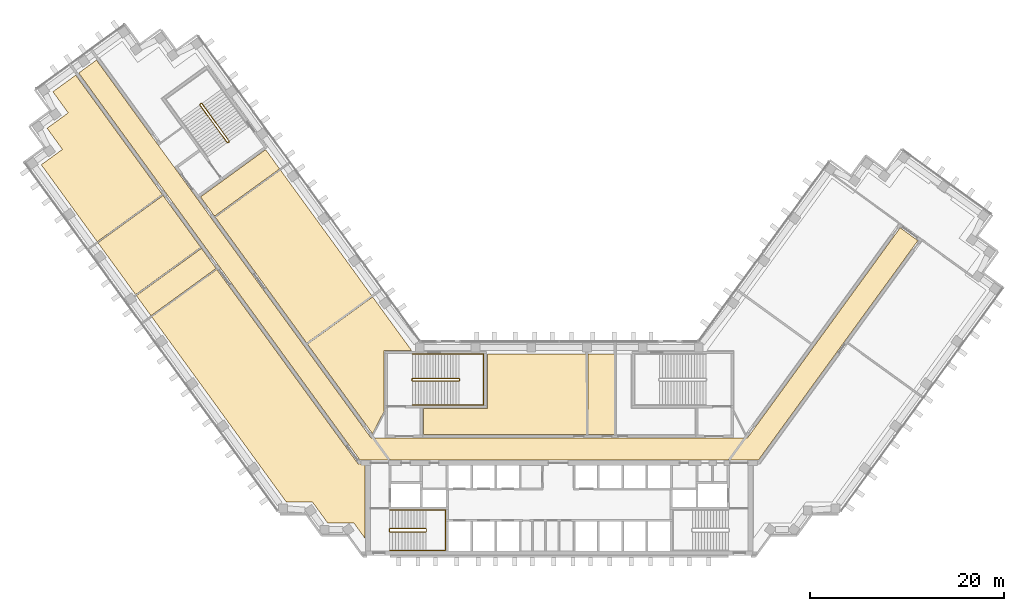
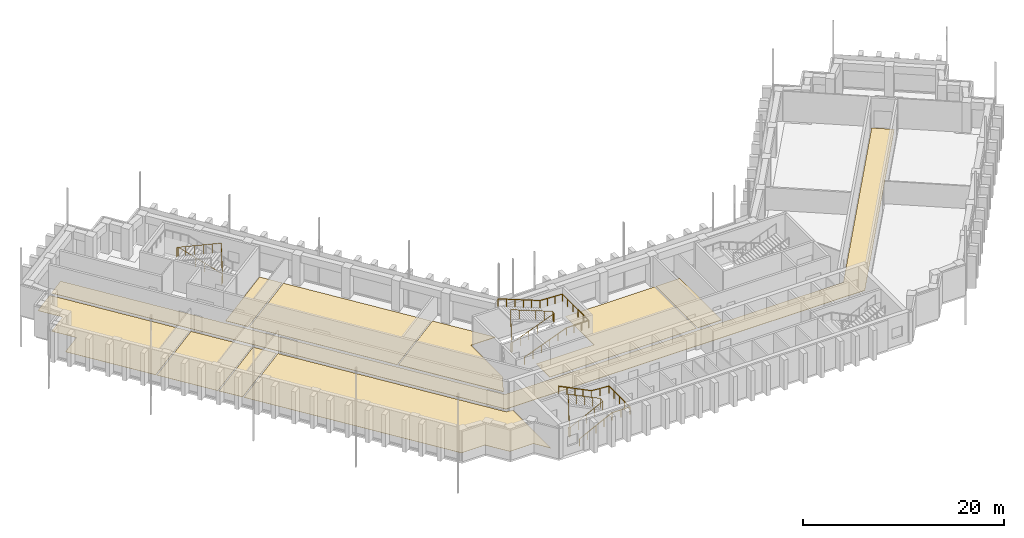
# One storey, part 15 of 16: 10 coverings, 5 railings.
"""IFC4 building model written with IfcOpenShell, lengths in metres."""

from ifc_helpers import new_model, si_unit, direction, frame, origin, origin_2d, place, context, subcontext, project, spatial, polyline, circle, outline, extrude, material, layer, layer_set, type_object, element, save


model = new_model("IFC4")

# Units and contexts
model_context = context("Model", 3, precision=1e-05, world=origin(), true_north=direction((0.0, 1.0)))
body_context = subcontext(model_context, "Body", "Model", "MODEL_VIEW")
ifc_project = project(units=[si_unit("LENGTHUNIT", "METRE"), si_unit("AREAUNIT", "SQUARE_METRE"), si_unit("VOLUMEUNIT", "CUBIC_METRE"), si_unit("PLANEANGLEUNIT", "RADIAN"), si_unit("MASSUNIT", "GRAM", prefix="KILO")], contexts=[model_context])

# Site, building, storey
site_placement = place(None, origin())
site = spatial("IfcSite", under=ifc_project, at=site_placement, CompositionType="ELEMENT")
building_placement = place(site_placement, origin())
building = spatial("IfcBuilding", under=site, at=building_placement, Name="Quipu Civic Tower", CompositionType="ELEMENT")
storey_placement = place(building_placement, frame((0.0, 0.0, 125.0)))
storey = spatial("IfcBuildingStorey", under=building, at=storey_placement, Name="L29", CompositionType="ELEMENT", Elevation=125.0)

# Coverings
ifc_material_1 = material(Name="Carpet tile on raised access floor")
ifc_layer_1 = layer(ifc_material_1, 0.02001953125)
ifc_layer_set_1 = layer_set([ifc_layer_1], Name="Carpet tile on raised access floor")
covering_type_1 = type_object("IfcCoveringType", Name="Carpet tile floor finish 20", PredefinedType="FLOORING", material=ifc_layer_set_1)
covering_1_placement = place(storey_placement, origin())
element("IfcCovering", 1, at=covering_1_placement, inside=storey, type_object=covering_type_1, Name="Carpet tile floor finish 20", PredefinedType="FLOORING", context=body_context, shape_type="SweptSolid", body=[
    extrude(outline(polyline([(-53.47998046875, 29.35791015625), (-51.297119140625, 30.945068359375), (-52.883056640625, 33.12890625), (-50.698974609375, 34.717041015625), (-52.284912109375, 36.90087890625), (-49.930908203125, 38.611083984375), (-40.988037109375, 26.301025390625), (-47.7119140625, 21.41796875), (-53.47998046875, 29.35791015625)])), origin(), (0.0, 0.0, 1.0), 0.02001953125),
])
covering_2_placement = place(storey_placement, origin())
element("IfcCovering", 2, at=covering_2_placement, inside=storey, type_object=covering_type_1, Name="Carpet tile floor finish 20", PredefinedType="FLOORING", context=body_context, shape_type="SweptSolid", body=[
    extrude(outline(polyline([(-14.030029296875, 1.52001953125), (-14.030029296875, 4.179931640625), (-7.429931640625, 4.180908203125), (-7.429931640625, 9.830078125), (2.80908203125, 9.830078125), (2.80908203125, 1.52001953125), (-14.030029296875, 1.52001953125)])), origin(), (0.0, 0.0, 1.0), 0.02001953125),
])
covering_3_placement = place(storey_placement, origin())
element("IfcCovering", 3, at=covering_3_placement, inside=storey, type_object=covering_type_1, Name="Carpet tile floor finish 20", PredefinedType="FLOORING", context=body_context, shape_type="SweptSolid", body=[
    extrude(outline(polyline([(-47.62890625, 21.304931640625), (-40.905029296875, 26.18798828125), (-37.02099609375, 20.841064453125), (-43.743896484375, 15.95703125), (-47.62890625, 21.304931640625)])), origin(), (0.0, 0.0, 1.0), 0.02001953125),
])
covering_4_placement = place(storey_placement, origin())
element("IfcCovering", 4, at=covering_4_placement, inside=storey, type_object=covering_type_1, Name="Carpet tile floor finish 20", PredefinedType="FLOORING", context=body_context, shape_type="SweptSolid", body=[
    extrude(outline(polyline([(-35.512939453125, 23.93896484375), (-28.7900390625, 28.822021484375), (-19.35107421875, 15.8291015625), (-26.073974609375, 10.946044921875), (-35.512939453125, 23.93896484375)])), origin(), (0.0, 0.0, 1.0), 0.02001953125),
])
covering_5_placement = place(storey_placement, origin())
element("IfcCovering", 5, at=covering_5_placement, inside=storey, type_object=covering_type_1, Name="Carpet tile floor finish 20", PredefinedType="FLOORING", context=body_context, shape_type="SweptSolid", body=[
    extrude(outline(polyline([(-42.073974609375, 13.658935546875), (-35.35107421875, 18.54296875), (-20.77490234375, -1.51904296875), (-20.070068359375, -1.52001953125), (-20.070068359375, -9.195068359375), (-21.196044921875, -7.64599609375), (-21.6630859375, -7.64599609375), (-21.666015625, -7.64404296875), (-21.669921875, -7.64111328125), (-21.675048828125, -7.639892578125), (-21.679931640625, -7.637939453125), (-21.68408203125, -7.636962890625), (-21.68896484375, -7.636962890625), (-21.694091796875, -7.635986328125), (-21.698974609375, -7.636962890625), (-21.7041015625, -7.637939453125), (-21.708984375, -7.638916015625), (-21.712890625, -7.64111328125), (-21.718017578125, -7.64306640625), (-21.721923828125, -7.64599609375), (-21.721923828125, -7.64599609375), (-23.89501953125, -7.64599609375), (-25.48193359375, -5.4619140625), (-28.181884765625, -5.4609375), (-42.073974609375, 13.658935546875)])), origin(), (0.0, 0.0, 1.0), 0.02001953125),
])
ifc_material_2 = material(Name="Ceramic floor tile")
ifc_layer_2 = layer(ifc_material_2, 0.030029296875)
ifc_layer_set_2 = layer_set([ifc_layer_2], Name="Ceramic floor tile")
covering_type_2 = type_object("IfcCoveringType", Name="Ceramic tile floor finish 30", PredefinedType="FLOORING", material=ifc_layer_set_2)
covering_6_placement = place(storey_placement, origin())
element("IfcCovering", 6, at=covering_6_placement, inside=storey, type_object=covering_type_2, Name="Ceramic tile floor finish 30", PredefinedType="FLOORING", context=body_context, shape_type="SweptSolid", body=[
    extrude(outline(polyline([(-37.0380859375, 26.0380859375), (-30.31494140625, 30.922119140625), (-28.873046875, 28.93505859375), (-35.595947265625, 24.052001953125), (-37.0380859375, 26.0380859375)])), origin(), (0.0, 0.0, 1.0), 0.030029296875),
])
covering_7_placement = place(storey_placement, origin())
element("IfcCovering", 7, at=covering_7_placement, inside=storey, type_object=covering_type_2, Name="Ceramic tile floor finish 30", PredefinedType="FLOORING", context=body_context, shape_type="SweptSolid", body=[
    extrude(outline(polyline([(-43.660888671875, 15.843994140625), (-36.93798828125, 20.72802734375), (-35.43408203125, 18.656005859375), (-42.156982421875, 13.77197265625), (-43.660888671875, 15.843994140625)])), origin(), (0.0, 0.0, 1.0), 0.030029296875),
])
ifc_material_3 = material(Name="Sealed cement screed")
ifc_layer_3 = layer(ifc_material_3, 0.050048828125)
ifc_layer_set_3 = layer_set([ifc_layer_3], Name="Sealed cement screed")
covering_type_3 = type_object("IfcCoveringType", Name="Sealed screed floor finish 50", PredefinedType="FLOORING", material=ifc_layer_set_3)
covering_8_placement = place(storey_placement, origin())
element("IfcCovering", 8, at=covering_8_placement, inside=storey, type_object=covering_type_3, Name="Sealed screed floor finish 50", PredefinedType="FLOORING", context=body_context, shape_type="SweptSolid", body=[
    extrude(outline(polyline([(2.948974609375, 1.52001953125), (2.948974609375, 9.830078125), (5.68798828125, 9.830078125), (5.68798828125, 1.52001953125), (2.948974609375, 1.52001953125)])), origin(), (0.0, 0.0, 1.0), 0.050048828125),
])
covering_9_placement = place(storey_placement, origin())
element("IfcCovering", 9, at=covering_9_placement, inside=storey, type_object=covering_type_3, Name="Sealed screed floor finish 50", PredefinedType="FLOORING", context=body_context, shape_type="SweptSolid", body=[
    extrude(outline(polyline([(-25.990966796875, 10.8330078125), (-19.26806640625, 15.716064453125), (-15.238037109375, 10.169921875), (-18.070068359375, 10.1689453125), (-18.070068359375, 3.94189453125), (-19.27197265625, 1.583984375), (-25.990966796875, 10.8330078125)])), origin(), (0.0, 0.0, 1.0), 0.050048828125),
])

# Railings
ifc_material_4 = material(Name="Stainless steel", Category="steel")
railing_type_1 = type_object("IfcRailingType", Name="Stair guard 1100", PredefinedType="GUARDRAIL", material=ifc_material_4)
railing_1_placement = place(storey_placement, frame((-17.5, -8.550048828125, 0.15380859375)))
element("IfcRailing", 10, at=railing_1_placement, inside=storey, type_object=railing_type_1, Name="Stair 1 guard", PredefinedType="GUARDRAIL", context=body_context, shape_type="SweptSolid", body=[
    extrude(circle(Radius=0.02392578125, at=origin_2d()), frame((0.0, 0.0, 1.076171875), z_axis=(0.895751851347, 0.0, 0.444554407028), x_axis=(0.0, 1.0, 0.0)), (0.0, 0.0, 1.0), 4.15283203125),
    extrude(circle(Radius=0.02392578125, at=origin_2d()), frame((3.719970703125, 0.0, 2.92236328125), z_axis=(0.707106781187, 0.707106781187, 0.0), x_axis=(-0.707106781187, 0.707106781187, 0.0)), (0.0, 0.0, 1.0), 0.07080078125),
    extrude(circle(Radius=0.02392578125, at=origin_2d()), frame((3.77001953125, 0.050048828125, 2.92236328125), z_axis=(0.0, 1.0, 0.0), x_axis=(-1.0, 0.0, 0.0)), (0.0, 0.0, 1.0), 0.25),
    extrude(circle(Radius=0.02392578125, at=origin_2d()), frame((3.77001953125, 0.300048828125, 2.92236328125), z_axis=(-0.295599637079, 0.295599637079, 0.908428152975), x_axis=(-0.707106781187, -0.707106781187, 0.0)), (0.0, 0.0, 1.0), 0.16943359375),
    extrude(circle(Radius=0.02392578125, at=origin_2d()), frame((3.719970703125, 0.35009765625, 3.076171875), z_axis=(-0.895751851347, 0.0, 0.444554407028), x_axis=(0.0, -1.0, 0.0)), (0.0, 0.0, 1.0), 4.15283203125),
    extrude(circle(Radius=0.02392578125, at=origin_2d()), frame((0.0, 0.35009765625, 4.92236328125), z_axis=(-0.012476181752, -0.074796231092, -0.997120789425), x_axis=(0.986372223864, -0.164529134168, 0.0)), (0.0, 0.0, 1.0), 4.011474609375),
    extrude(circle(Radius=0.02392578125, at=origin_2d()), frame((-0.050048828125, 0.050048828125, 0.92236328125), z_axis=(0.0, 1.0, 0.0), x_axis=(-1.0, 0.0, 0.0)), (0.0, 0.0, 1.0), 0.25),
    extrude(circle(Radius=0.02099609375, at=origin_2d()), origin(), (0.0, 0.0, 1.0), 1.052001953125),
    extrude(circle(Radius=0.02099609375, at=origin_2d()), frame((0.929931640625, 0.0, 0.46142578125)), (0.0, 0.0, 1.0), 1.052001953125),
    extrude(circle(Radius=0.02099609375, at=origin_2d()), frame((1.85986328125, 0.0, 0.923095703125)), (0.0, 0.0, 1.0), 1.052001953125),
    extrude(circle(Radius=0.02099609375, at=origin_2d()), frame((2.7900390625, 0.0, 1.384765625)), (0.0, 0.0, 1.0), 1.052001953125),
    extrude(circle(Radius=0.02099609375, at=origin_2d()), frame((3.719970703125, 0.0, 1.84619140625)), (0.0, 0.0, 1.0), 1.052001953125),
    extrude(circle(Radius=0.02099609375, at=origin_2d()), frame((3.77001953125, 0.050048828125, 1.84619140625)), (0.0, 0.0, 1.0), 1.052001953125),
    extrude(circle(Radius=0.02099609375, at=origin_2d()), frame((3.77001953125, 0.300048828125, 1.84619140625)), (0.0, 0.0, 1.0), 1.052001953125),
    extrude(circle(Radius=0.02099609375, at=origin_2d()), frame((3.719970703125, 0.35009765625, 2.0)), (0.0, 0.0, 1.0), 1.052001953125),
    extrude(circle(Radius=0.02099609375, at=origin_2d()), frame((2.7900390625, 0.35009765625, 2.46142578125)), (0.0, 0.0, 1.0), 1.052001953125),
    extrude(circle(Radius=0.02099609375, at=origin_2d()), frame((1.85986328125, 0.35009765625, 2.923095703125)), (0.0, 0.0, 1.0), 1.052001953125),
    extrude(circle(Radius=0.02099609375, at=origin_2d()), frame((0.929931640625, 0.35009765625, 3.384765625)), (0.0, 0.0, 1.0), 1.052001953125),
    extrude(circle(Radius=0.02099609375, at=origin_2d()), frame((0.0, 0.35009765625, 3.84619140625)), (0.0, 0.0, 1.0), 1.052001953125),
    extrude(circle(Radius=0.02099609375, at=origin_2d()), frame((-0.012451171875, 0.275146484375, 2.84619140625)), (0.0, 0.0, 1.0), 1.052001953125),
    extrude(circle(Radius=0.02099609375, at=origin_2d()), frame((-0.02490234375, 0.2001953125, 1.84619140625)), (0.0, 0.0, 1.0), 1.052001953125),
    extrude(circle(Radius=0.02099609375, at=origin_2d()), frame((-0.03759765625, 0.125, 0.84619140625)), (0.0, 0.0, 1.0), 1.052001953125),
    extrude(circle(Radius=0.02099609375, at=origin_2d()), frame((-0.050048828125, 0.050048828125, -0.15380859375)), (0.0, 0.0, 1.0), 1.052001953125),
    extrude(circle(Radius=0.02099609375, at=origin_2d()), frame((-0.050048828125, 0.300048828125, -0.15380859375)), (0.0, 0.0, 1.0), 1.052001953125),
])
railing_2_placement = place(storey_placement, frame((-15.14990234375, 7.050048828125, 0.11767578125)))
element("IfcRailing", 11, at=railing_2_placement, inside=storey, type_object=railing_type_1, Name="Stair 3 guard", PredefinedType="GUARDRAIL", context=body_context, shape_type="SweptSolid", body=[
    extrude(circle(Radius=0.02392578125, at=origin_2d()), frame((0.0, 0.0, 1.076171875), z_axis=(0.930970042603, 0.0, 0.365095576219), x_axis=(0.0, 1.0, 0.0)), (0.0, 0.0, 1.0), 5.15576171875),
    extrude(circle(Radius=0.02392578125, at=origin_2d()), frame((4.7998046875, 0.0, 2.95849609375), z_axis=(0.707106781187, 0.707106781187, 0.0), x_axis=(-0.707106781187, 0.707106781187, 0.0)), (0.0, 0.0, 1.0), 0.07080078125),
    extrude(circle(Radius=0.02392578125, at=origin_2d()), frame((4.849853515625, 0.050048828125, 2.95849609375), z_axis=(0.0, 1.0, 0.0), x_axis=(-1.0, 0.0, 0.0)), (0.0, 0.0, 1.0), 0.14990234375),
    extrude(circle(Radius=0.02392578125, at=origin_2d()), frame((4.849853515625, 0.199951171875, 2.95849609375), z_axis=(-0.364463019033, 0.364463019033, 0.856932561824), x_axis=(-0.707106781187, -0.707106781187, 0.0)), (0.0, 0.0, 1.0), 0.13720703125),
    extrude(circle(Radius=0.02392578125, at=origin_2d()), frame((4.7998046875, 0.25, 3.076171875), z_axis=(-0.930970042603, 0.0, 0.365095576219), x_axis=(0.0, -1.0, 0.0)), (0.0, 0.0, 1.0), 5.15576171875),
    extrude(circle(Radius=0.02392578125, at=origin_2d()), frame((0.0, 0.25, 4.95849609375), z_axis=(-0.012495627992, -0.049921557685, -0.998674970829), x_axis=(0.970072785993, -0.242814311512, 0.0)), (0.0, 0.0, 1.0), 4.00537109375),
    extrude(circle(Radius=0.02392578125, at=origin_2d()), frame((-0.050048828125, 0.050048828125, 0.95849609375), z_axis=(0.0, 1.0, 0.0), x_axis=(-1.0, 0.0, 0.0)), (0.0, 0.0, 1.0), 0.14990234375),
    extrude(circle(Radius=0.02099609375, at=origin_2d()), origin(), (0.0, 0.0, 1.0), 1.052001953125),
    extrude(circle(Radius=0.02099609375, at=origin_2d()), frame((0.9599609375, 0.0, 0.37646484375)), (0.0, 0.0, 1.0), 1.052001953125),
    extrude(circle(Radius=0.02099609375, at=origin_2d()), frame((1.919921875, 0.0, 0.7529296875)), (0.0, 0.0, 1.0), 1.052001953125),
    extrude(circle(Radius=0.02099609375, at=origin_2d()), frame((2.8798828125, 0.0, 1.12939453125)), (0.0, 0.0, 1.0), 1.052001953125),
    extrude(circle(Radius=0.02099609375, at=origin_2d()), frame((3.83984375, 0.0, 1.505859375)), (0.0, 0.0, 1.0), 1.052001953125),
    extrude(circle(Radius=0.02099609375, at=origin_2d()), frame((4.7998046875, 0.0, 1.88232421875)), (0.0, 0.0, 1.0), 1.052001953125),
    extrude(circle(Radius=0.02099609375, at=origin_2d()), frame((4.849853515625, 0.050048828125, 1.88232421875)), (0.0, 0.0, 1.0), 1.052001953125),
    extrude(circle(Radius=0.02099609375, at=origin_2d()), frame((4.849853515625, 0.199951171875, 1.88232421875)), (0.0, 0.0, 1.0), 1.052001953125),
    extrude(circle(Radius=0.02099609375, at=origin_2d()), frame((4.7998046875, 0.25, 2.0)), (0.0, 0.0, 1.0), 1.052001953125),
    extrude(circle(Radius=0.02099609375, at=origin_2d()), frame((3.83984375, 0.25, 2.37646484375)), (0.0, 0.0, 1.0), 1.052001953125),
    extrude(circle(Radius=0.02099609375, at=origin_2d()), frame((2.8798828125, 0.25, 2.7529296875)), (0.0, 0.0, 1.0), 1.052001953125),
    extrude(circle(Radius=0.02099609375, at=origin_2d()), frame((1.919921875, 0.25, 3.12939453125)), (0.0, 0.0, 1.0), 1.052001953125),
    extrude(circle(Radius=0.02099609375, at=origin_2d()), frame((0.9599609375, 0.25, 3.505859375)), (0.0, 0.0, 1.0), 1.052001953125),
    extrude(circle(Radius=0.02099609375, at=origin_2d()), frame((0.0, 0.25, 3.88232421875)), (0.0, 0.0, 1.0), 1.052001953125),
    extrude(circle(Radius=0.02099609375, at=origin_2d()), frame((-0.012451171875, 0.199951171875, 2.88232421875)), (0.0, 0.0, 1.0), 1.052001953125),
    extrude(circle(Radius=0.02099609375, at=origin_2d()), frame((-0.02490234375, 0.14990234375, 1.88232421875)), (0.0, 0.0, 1.0), 1.052001953125),
    extrude(circle(Radius=0.02099609375, at=origin_2d()), frame((-0.03759765625, 0.10009765625, 0.88232421875)), (0.0, 0.0, 1.0), 1.052001953125),
    extrude(circle(Radius=0.02099609375, at=origin_2d()), frame((-0.050048828125, 0.050048828125, -0.11767578125)), (0.0, 0.0, 1.0), 1.052001953125),
    extrude(circle(Radius=0.02099609375, at=origin_2d()), frame((-0.050048828125, 0.199951171875, -0.11767578125)), (0.0, 0.0, 1.0), 1.052001953125),
])
railing_3_placement = place(storey_placement, frame((-34.078857421875, 31.79736328125, 0.11767578125)))
element("IfcRailing", 12, at=railing_3_placement, inside=storey, type_object=railing_type_1, Name="Stair 6 guard", PredefinedType="GUARDRAIL", context=body_context, shape_type="SweptSolid", body=[
    extrude(circle(Radius=0.02392578125, at=origin_2d()), frame((0.0, 0.0, 1.076171875), z_axis=(-0.54720100349, 0.753182689643, 0.365084781664), x_axis=(-0.809026317077, -0.587772420479, 0.0)), (0.0, 0.0, 1.0), 5.15576171875),
    extrude(circle(Radius=0.02392578125, at=origin_2d()), frame((-2.8212890625, 3.88330078125, 2.95849609375), z_axis=(-0.987846838465, 0.155430446612, 0.0), x_axis=(-0.155430446612, -0.987846838465, 0.0)), (0.0, 0.0, 1.0), 0.07080078125),
    extrude(circle(Radius=0.02392578125, at=origin_2d()), frame((-2.89111328125, 3.894287109375, 2.95849609375), z_axis=(-0.809649071907, -0.586914287065, 0.0), x_axis=(0.586914287065, -0.809649071907, 0.0)), (0.0, 0.0, 1.0), 0.150146484375),
    extrude(circle(Radius=0.02392578125, at=origin_2d()), frame((-3.0126953125, 3.80615234375, 2.95849609375), z_axis=(-0.080033047627, -0.508654480474, 0.857242865693), x_axis=(0.987846838465, -0.155430446612, 0.0)), (0.0, 0.0, 1.0), 0.13720703125),
    extrude(circle(Radius=0.02392578125, at=origin_2d()), frame((-3.023681640625, 3.736328125, 3.076171875), z_axis=(0.54720100349, -0.753182689643, 0.365084781664), x_axis=(0.809026317077, 0.587772420479, 0.0)), (0.0, 0.0, 1.0), 5.15576171875),
    extrude(circle(Radius=0.02392578125, at=origin_2d()), frame((-0.202392578125, -0.14697265625, 4.95849609375), z_axis=(0.047788004556, 0.019261491632, -0.998671768681), x_axis=(-0.373837031195, 0.92749440651, 0.0)), (0.0, 0.0, 1.0), 4.00537109375),
    extrude(circle(Radius=0.02392578125, at=origin_2d()), frame((-0.010986328125, -0.06982421875, 0.95849609375), z_axis=(-0.809087927272, -0.587687609145, 0.0), x_axis=(0.587687609145, -0.809087927272, 0.0)), (0.0, 0.0, 1.0), 0.14990234375),
    extrude(circle(Radius=0.02099609375, at=origin_2d()), origin(), (0.0, 0.0, 1.0), 1.052001953125),
    extrude(circle(Radius=0.02099609375, at=origin_2d()), frame((-0.564208984375, 0.776611328125, 0.37646484375)), (0.0, 0.0, 1.0), 1.052001953125),
    extrude(circle(Radius=0.02099609375, at=origin_2d()), frame((-1.12841796875, 1.55322265625, 0.7529296875)), (0.0, 0.0, 1.0), 1.052001953125),
    extrude(circle(Radius=0.02099609375, at=origin_2d()), frame((-1.69287109375, 2.330078125, 1.12939453125)), (0.0, 0.0, 1.0), 1.052001953125),
    extrude(circle(Radius=0.02099609375, at=origin_2d()), frame((-2.257080078125, 3.106689453125, 1.505859375)), (0.0, 0.0, 1.0), 1.052001953125),
    extrude(circle(Radius=0.02099609375, at=origin_2d()), frame((-2.8212890625, 3.88330078125, 1.88232421875)), (0.0, 0.0, 1.0), 1.052001953125),
    extrude(circle(Radius=0.02099609375, at=origin_2d()), frame((-2.89111328125, 3.894287109375, 1.88232421875)), (0.0, 0.0, 1.0), 1.052001953125),
    extrude(circle(Radius=0.02099609375, at=origin_2d()), frame((-3.0126953125, 3.80615234375, 1.88232421875)), (0.0, 0.0, 1.0), 1.052001953125),
    extrude(circle(Radius=0.02099609375, at=origin_2d()), frame((-3.023681640625, 3.736328125, 2.0)), (0.0, 0.0, 1.0), 1.052001953125),
    extrude(circle(Radius=0.02099609375, at=origin_2d()), frame((-2.45947265625, 2.959716796875, 2.37646484375)), (0.0, 0.0, 1.0), 1.052001953125),
    extrude(circle(Radius=0.02099609375, at=origin_2d()), frame((-1.895263671875, 2.18310546875, 2.7529296875)), (0.0, 0.0, 1.0), 1.052001953125),
    extrude(circle(Radius=0.02099609375, at=origin_2d()), frame((-1.330810546875, 1.40625, 3.12939453125)), (0.0, 0.0, 1.0), 1.052001953125),
    extrude(circle(Radius=0.02099609375, at=origin_2d()), frame((-0.7666015625, 0.629638671875, 3.505859375)), (0.0, 0.0, 1.0), 1.052001953125),
    extrude(circle(Radius=0.02099609375, at=origin_2d()), frame((-0.202392578125, -0.14697265625, 3.88232421875)), (0.0, 0.0, 1.0), 1.052001953125),
    extrude(circle(Radius=0.02099609375, at=origin_2d()), frame((-0.154541015625, -0.127685546875, 2.88232421875)), (0.0, 0.0, 1.0), 1.052001953125),
    extrude(circle(Radius=0.02099609375, at=origin_2d()), frame((-0.106689453125, -0.1083984375, 1.88232421875)), (0.0, 0.0, 1.0), 1.052001953125),
    extrude(circle(Radius=0.02099609375, at=origin_2d()), frame((-0.058837890625, -0.089111328125, 0.88232421875)), (0.0, 0.0, 1.0), 1.052001953125),
    extrude(circle(Radius=0.02099609375, at=origin_2d()), frame((-0.010986328125, -0.06982421875, -0.11767578125)), (0.0, 0.0, 1.0), 1.052001953125),
    extrude(circle(Radius=0.02099609375, at=origin_2d()), frame((-0.13232421875, -0.157958984375, -0.11767578125)), (0.0, 0.0, 1.0), 1.052001953125),
])
ifc_material_5 = material(Name="Stainless steel", Category="steel")
railing_type_2 = type_object("IfcRailingType", Name="Stair handrail", PredefinedType="HANDRAIL", material=ifc_material_5)
railing_4_placement = place(storey_placement, frame((-17.5, -10.449951171875, 0.15380859375)))
element("IfcRailing", 13, at=railing_4_placement, inside=storey, type_object=railing_type_2, Name="Stair 1 handrail", PredefinedType="HANDRAIL", context=body_context, shape_type="SweptSolid", body=[
    extrude(circle(Radius=0.02392578125, at=origin_2d()), frame((0.0, 0.0, 0.8759765625), z_axis=(0.895751851347, 0.0, 0.444554407028), x_axis=(0.0, 1.0, 0.0)), (0.0, 0.0, 1.0), 4.15283203125),
    extrude(circle(Radius=0.02392578125, at=origin_2d()), frame((3.719970703125, 0.0, 2.72216796875), z_axis=(1.0, 0.0, 0.0), x_axis=(0.0, 1.0, 0.0)), (0.0, 0.0, 1.0), 2.030029296875),
    extrude(circle(Radius=0.02392578125, at=origin_2d()), frame((5.75, 0.0, 2.72216796875), z_axis=(0.0, 1.0, 0.0), x_axis=(-1.0, 0.0, 0.0)), (0.0, 0.0, 1.0), 4.14990234375),
    extrude(circle(Radius=0.02392578125, at=origin_2d()), frame((5.75, 4.14990234375, 2.72216796875), z_axis=(-0.997142003663, 0.0, 0.075550145798), x_axis=(0.0, -1.0, 0.0)), (0.0, 0.0, 1.0), 2.035888671875),
    extrude(circle(Radius=0.02392578125, at=origin_2d()), frame((3.719970703125, 4.14990234375, 2.8759765625), z_axis=(-0.895751851347, 0.0, 0.444554407028), x_axis=(0.0, -1.0, 0.0)), (0.0, 0.0, 1.0), 4.15283203125),
    extrude(circle(Radius=0.02099609375, at=origin_2d()), origin(), (0.0, 0.0, 1.0), 0.851806640625),
    extrude(circle(Radius=0.02099609375, at=origin_2d()), frame((0.929931640625, 0.0, 0.46142578125)), (0.0, 0.0, 1.0), 0.851806640625),
    extrude(circle(Radius=0.02099609375, at=origin_2d()), frame((1.85986328125, 0.0, 0.923095703125)), (0.0, 0.0, 1.0), 0.851806640625),
    extrude(circle(Radius=0.02099609375, at=origin_2d()), frame((2.7900390625, 0.0, 1.384765625)), (0.0, 0.0, 1.0), 0.851806640625),
    extrude(circle(Radius=0.02099609375, at=origin_2d()), frame((3.719970703125, 0.0, 1.84619140625)), (0.0, 0.0, 1.0), 0.851806640625),
    extrude(circle(Radius=0.02099609375, at=origin_2d()), frame((4.73486328125, 0.0, 1.84619140625)), (0.0, 0.0, 1.0), 0.851806640625),
    extrude(circle(Radius=0.02099609375, at=origin_2d()), frame((5.75, 0.0, 1.84619140625)), (0.0, 0.0, 1.0), 0.851806640625),
    extrude(circle(Radius=0.02099609375, at=origin_2d()), frame((5.75, 1.03759765625, 1.84619140625)), (0.0, 0.0, 1.0), 0.851806640625),
    extrude(circle(Radius=0.02099609375, at=origin_2d()), frame((5.75, 2.074951171875, 1.84619140625)), (0.0, 0.0, 1.0), 0.851806640625),
    extrude(circle(Radius=0.02099609375, at=origin_2d()), frame((5.75, 3.1123046875, 1.84619140625)), (0.0, 0.0, 1.0), 0.851806640625),
    extrude(circle(Radius=0.02099609375, at=origin_2d()), frame((5.75, 4.14990234375, 1.84619140625)), (0.0, 0.0, 1.0), 0.851806640625),
    extrude(circle(Radius=0.02099609375, at=origin_2d()), frame((4.73486328125, 4.14990234375, 1.923095703125)), (0.0, 0.0, 1.0), 0.851806640625),
    extrude(circle(Radius=0.02099609375, at=origin_2d()), frame((3.719970703125, 4.14990234375, 2.0)), (0.0, 0.0, 1.0), 0.851806640625),
    extrude(circle(Radius=0.02099609375, at=origin_2d()), frame((2.7900390625, 4.14990234375, 2.46142578125)), (0.0, 0.0, 1.0), 0.851806640625),
    extrude(circle(Radius=0.02099609375, at=origin_2d()), frame((1.85986328125, 4.14990234375, 2.923095703125)), (0.0, 0.0, 1.0), 0.851806640625),
    extrude(circle(Radius=0.02099609375, at=origin_2d()), frame((0.929931640625, 4.14990234375, 3.384765625)), (0.0, 0.0, 1.0), 0.851806640625),
    extrude(circle(Radius=0.02099609375, at=origin_2d()), frame((0.0, 4.14990234375, 3.84619140625)), (0.0, 0.0, 1.0), 0.851806640625),
])
railing_5_placement = place(storey_placement, frame((-15.14990234375, 4.550048828125, 0.11767578125)))
element("IfcRailing", 14, at=railing_5_placement, inside=storey, type_object=railing_type_2, Name="Stair 3 handrail", PredefinedType="HANDRAIL", context=body_context, shape_type="SweptSolid", body=[
    extrude(circle(Radius=0.02392578125, at=origin_2d()), frame((0.0, 0.0, 0.8759765625), z_axis=(0.930970042603, 0.0, 0.365095576219), x_axis=(0.0, 1.0, 0.0)), (0.0, 0.0, 1.0), 5.15576171875),
    extrude(circle(Radius=0.02392578125, at=origin_2d()), frame((4.7998046875, 0.0, 2.75830078125), z_axis=(1.0, 0.0, 0.0), x_axis=(0.0, 1.0, 0.0)), (0.0, 0.0, 1.0), 2.550048828125),
    extrude(circle(Radius=0.02392578125, at=origin_2d()), frame((7.349853515625, 0.0, 2.75830078125), z_axis=(0.0, 1.0, 0.0), x_axis=(-1.0, 0.0, 0.0)), (0.0, 0.0, 1.0), 5.25),
    extrude(circle(Radius=0.02392578125, at=origin_2d()), frame((7.349853515625, 5.25, 2.75830078125), z_axis=(-0.998936948642, 0.0, 0.04609742549), x_axis=(0.0, -1.0, 0.0)), (0.0, 0.0, 1.0), 2.552734375),
    extrude(circle(Radius=0.02392578125, at=origin_2d()), frame((4.7998046875, 5.25, 2.8759765625), z_axis=(-0.930970042603, 0.0, 0.365095576219), x_axis=(0.0, -1.0, 0.0)), (0.0, 0.0, 1.0), 5.15576171875),
    extrude(circle(Radius=0.02099609375, at=origin_2d()), origin(), (0.0, 0.0, 1.0), 0.851806640625),
    extrude(circle(Radius=0.02099609375, at=origin_2d()), frame((0.9599609375, 0.0, 0.37646484375)), (0.0, 0.0, 1.0), 0.851806640625),
    extrude(circle(Radius=0.02099609375, at=origin_2d()), frame((1.919921875, 0.0, 0.7529296875)), (0.0, 0.0, 1.0), 0.851806640625),
    extrude(circle(Radius=0.02099609375, at=origin_2d()), frame((2.8798828125, 0.0, 1.12939453125)), (0.0, 0.0, 1.0), 0.851806640625),
    extrude(circle(Radius=0.02099609375, at=origin_2d()), frame((3.83984375, 0.0, 1.505859375)), (0.0, 0.0, 1.0), 0.851806640625),
    extrude(circle(Radius=0.02099609375, at=origin_2d()), frame((4.7998046875, 0.0, 1.88232421875)), (0.0, 0.0, 1.0), 0.851806640625),
    extrude(circle(Radius=0.02099609375, at=origin_2d()), frame((5.64990234375, 0.0, 1.88232421875)), (0.0, 0.0, 1.0), 0.851806640625),
    extrude(circle(Radius=0.02099609375, at=origin_2d()), frame((6.499755859375, 0.0, 1.88232421875)), (0.0, 0.0, 1.0), 0.851806640625),
    extrude(circle(Radius=0.02099609375, at=origin_2d()), frame((7.349853515625, 0.0, 1.88232421875)), (0.0, 0.0, 1.0), 0.851806640625),
    extrude(circle(Radius=0.02099609375, at=origin_2d()), frame((7.349853515625, 1.050048828125, 1.88232421875)), (0.0, 0.0, 1.0), 0.851806640625),
    extrude(circle(Radius=0.02099609375, at=origin_2d()), frame((7.349853515625, 2.10009765625, 1.88232421875)), (0.0, 0.0, 1.0), 0.851806640625),
    extrude(circle(Radius=0.02099609375, at=origin_2d()), frame((7.349853515625, 3.14990234375, 1.88232421875)), (0.0, 0.0, 1.0), 0.851806640625),
    extrude(circle(Radius=0.02099609375, at=origin_2d()), frame((7.349853515625, 4.199951171875, 1.88232421875)), (0.0, 0.0, 1.0), 0.851806640625),
    extrude(circle(Radius=0.02099609375, at=origin_2d()), frame((7.349853515625, 5.25, 1.88232421875)), (0.0, 0.0, 1.0), 0.851806640625),
    extrude(circle(Radius=0.02099609375, at=origin_2d()), frame((6.499755859375, 5.25, 1.921630859375)), (0.0, 0.0, 1.0), 0.851806640625),
    extrude(circle(Radius=0.02099609375, at=origin_2d()), frame((5.64990234375, 5.25, 1.960693359375)), (0.0, 0.0, 1.0), 0.851806640625),
    extrude(circle(Radius=0.02099609375, at=origin_2d()), frame((4.7998046875, 5.25, 2.0)), (0.0, 0.0, 1.0), 0.851806640625),
    extrude(circle(Radius=0.02099609375, at=origin_2d()), frame((3.83984375, 5.25, 2.37646484375)), (0.0, 0.0, 1.0), 0.851806640625),
    extrude(circle(Radius=0.02099609375, at=origin_2d()), frame((2.8798828125, 5.25, 2.7529296875)), (0.0, 0.0, 1.0), 0.851806640625),
    extrude(circle(Radius=0.02099609375, at=origin_2d()), frame((1.919921875, 5.25, 3.12939453125)), (0.0, 0.0, 1.0), 0.851806640625),
    extrude(circle(Radius=0.02099609375, at=origin_2d()), frame((0.9599609375, 5.25, 3.505859375)), (0.0, 0.0, 1.0), 0.851806640625),
    extrude(circle(Radius=0.02099609375, at=origin_2d()), frame((0.0, 5.25, 3.88232421875)), (0.0, 0.0, 1.0), 0.851806640625),
])

# Covering
ifc_material_6 = material(Name="Terrazzo floor finish")
ifc_layer_4 = layer(ifc_material_6, 0.0400390625)
ifc_layer_set_4 = layer_set([ifc_layer_4], Name="Terrazzo floor finish")
covering_type_4 = type_object("IfcCoveringType", Name="Terrazzo floor finish 40", PredefinedType="FLOORING", material=ifc_layer_set_4)
covering_10_placement = place(storey_placement, origin())
element("IfcCovering", 15, at=covering_10_placement, inside=storey, type_object=covering_type_4, Name="Terrazzo floor finish 40", PredefinedType="FLOORING", context=body_context, shape_type="SweptSolid", body=[
    extrude(outline(polyline([(20.574951171875, -1.1298828125), (-20.574951171875, -1.1298828125), (-49.615966796875, 38.840087890625), (-47.787109375, 40.16796875), (-19.425048828125, 1.1298828125), (19.425048828125, 1.1298828125), (35.208984375, 22.85498046875), (37.037109375, 21.527099609375), (20.574951171875, -1.1298828125)])), origin(), (0.0, 0.0, 1.0), 0.0400390625),
])

save(model, "model.ifc")
